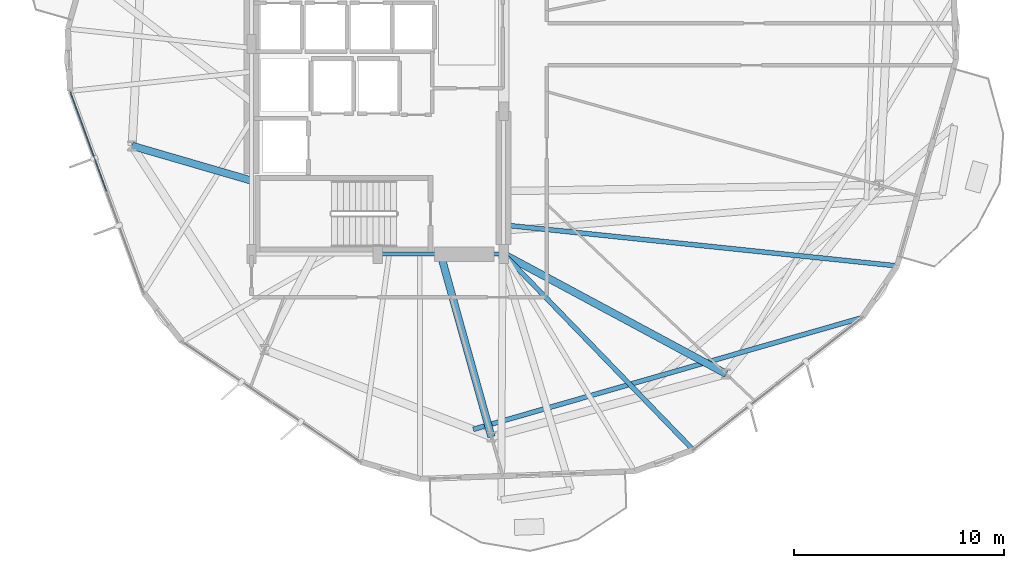
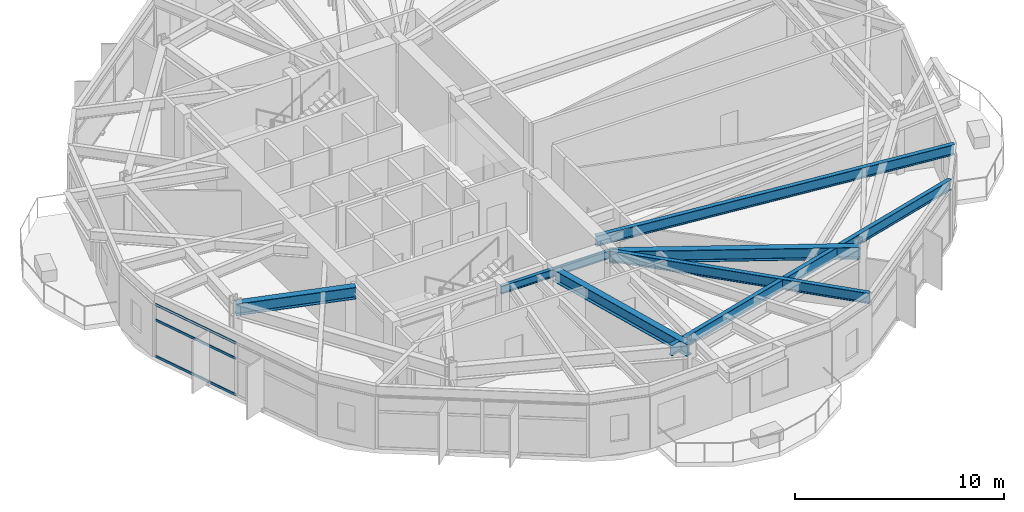
# One storey, part 6 of 21: 7 beams, 3 members, 1 element without a shape of its own.
"""IFC4 building model written with IfcOpenShell, lengths in metres."""

import ifcopenshell
import ifcopenshell.guid

model = None  # the IFC model being written
_history = None  # IfcOwnerHistory: only IFC2X3 demands one
_inside = {}  # id of a spatial element -> (the spatial element, [elements in it])
_under = {}  # id of a project, library or spatial element -> (it, [spatial elements below it])
_declared = {}  # id of a project -> (the project, [libraries it declares])
_typed = {}  # id of a type object -> (the type object, [elements of that type])
_made_of = {}  # id of a material, layer set ... -> (it, [elements and type objects made of it])


def new_model(schema):
    """Start an empty IFC model of exactly this schema.

    Asked for "IFC4X3", IfcOpenShell would pick the latest addendum, in which some entities
    have other attributes; the version numbers below select the first issue.
    IFC2X3 requires an IfcOwnerHistory on every rooted entity: one is made here for all.
    """
    global model, _history
    if schema == "IFC4X3":
        model = ifcopenshell.file(schema_version=(4, 3, 0, 0))
    else:
        model = ifcopenshell.file(schema=schema)
    _inside.clear()
    _under.clear()
    _declared.clear()
    _typed.clear()
    _made_of.clear()
    _history = None
    if model.schema == "IFC2X3":
        org = make("IfcOrganization", Name="unknown")
        user = make(
            "IfcPersonAndOrganization",
            ThePerson=make("IfcPerson", FamilyName="unknown"),
            TheOrganization=org,
        )
        app = make(
            "IfcApplication",
            ApplicationDeveloper=org,
            Version="unknown",
            ApplicationFullName="unknown",
            ApplicationIdentifier="unknown",
        )
        _history = make(
            "IfcOwnerHistory",
            OwningUser=user,
            OwningApplication=app,
            ChangeAction="ADDED",
            CreationDate=0,
        )
    return model


def make(cls, **values):
    """One entity of the class cls with the attributes given. An attribute that is None is left unset."""
    return model.create_entity(
        cls, **{name: value for name, value in values.items() if value is not None}
    )


def rooted(cls, **values):
    """An entity with a GlobalId (a new one), such as an element, a storey or a relation."""
    return make(cls, GlobalId=ifcopenshell.guid.new(), OwnerHistory=_history, **values)


def si_unit(unit_type, name, prefix=None):
    """IfcSIUnit, for example si_unit("LENGTHUNIT", "METRE", prefix="MILLI")."""
    return make("IfcSIUnit", UnitType=unit_type, Prefix=prefix, Name=name)


def assignment(units):
    """IfcUnitAssignment: the units of a project."""
    return None if units is None else make("IfcUnitAssignment", Units=units)


def point(xyz):
    """IfcCartesianPoint."""
    return None if xyz is None else make("IfcCartesianPoint", Coordinates=xyz)


def direction(xyz):
    """IfcDirection."""
    return None if xyz is None else make("IfcDirection", DirectionRatios=xyz)


def frame(location, z_axis=None, x_axis=None):
    """IfcAxis2Placement3D, a coordinate frame: its origin and axes. An axis left out is left unset."""
    return make(
        "IfcAxis2Placement3D",
        Location=point(location),
        Axis=direction(z_axis),
        RefDirection=direction(x_axis),
    )


def frame_2d(location, x_axis=None):
    """IfcAxis2Placement2D, a coordinate frame in the plane: its origin and x axis."""
    return make(
        "IfcAxis2Placement2D", Location=point(location), RefDirection=direction(x_axis)
    )


def origin():
    """The frame at (0, 0, 0) with its axes left unset."""
    return frame((0.0, 0.0, 0.0))


def origin_2d():
    """The frame at (0, 0) in the plane with its x axis left unset."""
    return frame_2d((0.0, 0.0))


def place(relative_to, where):
    """IfcLocalPlacement: puts the frame where relative to a parent placement (None: the world)."""
    return make(
        "IfcLocalPlacement", PlacementRelTo=relative_to, RelativePlacement=where
    )


def context(
    kind, dimensions, precision=None, world=None, true_north=None, identifier=None
):
    """IfcGeometricRepresentationContext, for example the 3D "Model" context."""
    return make(
        "IfcGeometricRepresentationContext",
        ContextIdentifier=identifier,
        ContextType=kind,
        CoordinateSpaceDimension=dimensions,
        Precision=precision,
        WorldCoordinateSystem=world,
        TrueNorth=true_north,
    )


def subcontext(parent, identifier, kind, view, scale=None):
    """IfcGeometricRepresentationSubContext, for example "Body" below "Model"."""
    return make(
        "IfcGeometricRepresentationSubContext",
        ContextIdentifier=identifier,
        ContextType=kind,
        ParentContext=parent,
        TargetScale=scale,
        TargetView=view,
    )


def project(units=None, contexts=None):
    """IfcProject with its units and contexts."""
    return rooted(
        "IfcProject",
        Name="project",
        RepresentationContexts=contexts,
        UnitsInContext=assignment(units),
    )


def spatial(cls, under=None, at=None, **own):
    """A site, building, storey or space (cls), placed at a placement, below another one or the project."""
    s = rooted(cls, ObjectPlacement=at, **own)
    if under is not None:
        _under.setdefault(under.id(), (under, []))[1].append(s)
    return s


def profile(cls, at=None, kind="AREA", **sizes):
    """A parametric profile (cls). Its sizes go by their IFC names, for example OverallWidth=200.0."""
    return make(cls, ProfileType=kind, Position=at, **sizes)


def hollow_rectangle(**sizes):
    """IfcRectangleHollowProfileDef."""
    return profile("IfcRectangleHollowProfileDef", **sizes)


def i_section(**sizes):
    """IfcIShapeProfileDef."""
    return profile("IfcIShapeProfileDef", **sizes)


def extrude(swept, where, along, depth):
    """IfcExtrudedAreaSolid: the profile swept, set in the frame where, extruded along a direction by depth."""
    return make(
        "IfcExtrudedAreaSolid",
        SweptArea=swept,
        Position=where,
        ExtrudedDirection=direction(along),
        Depth=depth,
    )


def shape(context_of_items, identifier, shape_type, items):
    """IfcShapeRepresentation: the items that make up one representation, for example the "Body"."""
    return make(
        "IfcShapeRepresentation",
        ContextOfItems=context_of_items,
        RepresentationIdentifier=identifier,
        RepresentationType=shape_type,
        Items=items,
    )


def material(Name=None, Category=None):
    """IfcMaterial."""
    return make("IfcMaterial", Name=Name, Category=Category)


def layer(
    of_material, thickness, ventilated=None, Name=None, Category=None, Priority=None
):
    """IfcMaterialLayer: one layer of a wall or slab, of a material (None: an air gap)."""
    return make(
        "IfcMaterialLayer",
        Material=of_material,
        LayerThickness=thickness,
        IsVentilated=ventilated,
        Name=Name,
        Category=Category,
        Priority=Priority,
    )


def layer_set(layers, Name=None):
    """IfcMaterialLayerSet."""
    return make("IfcMaterialLayerSet", MaterialLayers=layers, LayerSetName=Name)


def material_profile(
    of_material, cross_section, Name=None, Category=None, Priority=None
):
    """IfcMaterialProfile: a cross section and its material."""
    return make(
        "IfcMaterialProfile",
        Name=Name,
        Material=of_material,
        Profile=cross_section,
        Priority=Priority,
        Category=Category,
    )


def profile_set(profiles, Name=None, composite=None):
    """IfcMaterialProfileSet."""
    return make(
        "IfcMaterialProfileSet",
        Name=Name,
        MaterialProfiles=profiles,
        CompositeProfile=composite,
    )


def made_of(thing, what):
    """Note that an element or type object is made of a material, layer set ...; save() writes the relation."""
    if what is not None:
        _made_of.setdefault(what.id(), (what, []))[1].append(thing)
    return thing


def type_object(cls, material=None, **own):
    """A type object (cls), such as IfcWallType, which elements share."""
    return made_of(rooted(cls, **own), material)


def element(
    cls,
    number,
    at=None,
    inside=None,
    cuts=None,
    type_object=None,
    material=None,
    context=None,
    identifier="Body",
    shape_type=None,
    held_by="IfcProductDefinitionShape",
    body=None,
    shapes=None,
    **own,
):
    """One element of the class cls, such as IfcWall. Its Tag is "e" and its number.

    at: its placement. inside: the storey or other place that contains it. cuts: it is an
    opening in that element (IfcRelVoidsElement). A single representation is given by context,
    identifier, shape_type and body (its items); several are given by shapes. held_by: the class
    of the entity that holds the representations. save() writes the other relations.
    """
    e = rooted(cls, Tag="e%d" % number, ObjectPlacement=at, **own)
    if body is not None:
        shapes = [shape(context, identifier, shape_type, body)]
    if shapes is not None:
        e.Representation = make(held_by, Representations=shapes)
    if inside is not None:
        _inside.setdefault(inside.id(), (inside, []))[1].append(e)
    if cuts is not None:
        rooted(
            "IfcRelVoidsElement", RelatingBuildingElement=cuts, RelatedOpeningElement=e
        )
    if type_object is not None:
        _typed.setdefault(type_object.id(), (type_object, []))[1].append(e)
    return made_of(e, material)


def aggregate(whole, parts):
    """IfcRelAggregates: a whole, such as a stair, and the parts it consists of."""
    return rooted("IfcRelAggregates", RelatingObject=whole, RelatedObjects=parts)


def save(model, path):
    """Write the relations noted so far, then the file.

    IfcRelAggregates (storeys below a building ...), IfcRelContainedInSpatialStructure (elements
    in a storey), IfcRelDefinesByType, IfcRelAssociatesMaterial and IfcRelDeclares: one each for
    every whole, place, type object, material and project.
    """
    for whole, parts in _under.values():
        aggregate(whole, parts)
    for where, things in _inside.values():
        rooted(
            "IfcRelContainedInSpatialStructure",
            RelatedElements=things,
            RelatingStructure=where,
        )
    for kind, things in _typed.values():
        rooted("IfcRelDefinesByType", RelatedObjects=things, RelatingType=kind)
    for what, things in _made_of.values():
        rooted("IfcRelAssociatesMaterial", RelatedObjects=things, RelatingMaterial=what)
    for by, libraries in _declared.values():
        rooted("IfcRelDeclares", RelatingContext=by, RelatedDefinitions=libraries)
    model.write(path)


model = new_model("IFC4")

# Units and contexts
model_context = context("Model", 3, precision=1e-05, world=origin(), true_north=direction((0.0, 1.0)))
body_context = subcontext(model_context, "Body", "Model", "MODEL_VIEW")
ifc_project = project(units=[si_unit("LENGTHUNIT", "METRE"), si_unit("AREAUNIT", "SQUARE_METRE"), si_unit("VOLUMEUNIT", "CUBIC_METRE"), si_unit("PLANEANGLEUNIT", "RADIAN"), si_unit("MASSUNIT", "GRAM", prefix="KILO")], contexts=[model_context])

# Site, building, storey
site_placement = place(None, origin())
site = spatial("IfcSite", under=ifc_project, at=site_placement, CompositionType="ELEMENT")
building_placement = place(site_placement, origin())
building = spatial("IfcBuilding", under=site, at=building_placement, Name="Soratama Intermodal Tower", CompositionType="ELEMENT")
storey_placement = place(building_placement, frame((0.0, 0.0, 34.60009765625)))
storey = spatial("IfcBuildingStorey", under=building, at=storey_placement, Name="L07", CompositionType="ELEMENT", Elevation=34.60009765625)

# Beams
ifc_material_1 = material(Name="Structural steel ASTM A992 Grade 50", Category="steel")
ifc_material_profile_1 = material_profile(ifc_material_1, i_section(OverallWidth=0.19091796875, OverallDepth=0.4599609375, WebThickness=0.010009765625, FlangeThickness=0.01611328125, FilletRadius=0.010986328125, at=origin_2d()), Name="W18X55")
ifc_profile_set_1 = profile_set([ifc_material_profile_1], Name="Structural steel ASTM A992 Grade 50")
beam_type_1 = type_object("IfcBeamType", Name="BM-FLR-W18X55", PredefinedType="BEAM", material=ifc_profile_set_1)
beam_1_placement = place(storey_placement, frame((38.60009765625, 15.0, 3.469970703125), z_axis=(1.0, 0.0, 0.0), x_axis=(0.0, 1.0, 0.0)))
element("IfcBeam", 1, at=beam_1_placement, inside=storey, type_object=beam_type_1, Name="BM-L07-CRING-02", PredefinedType="BEAM", context=body_context, shape_type="SweptSolid", body=[
    extrude(i_section(OverallWidth=0.19091796875, OverallDepth=0.4599609375, WebThickness=0.010009765625, FlangeThickness=0.01611328125, FilletRadius=0.010986328125, at=origin_2d()), origin(), (0.0, 0.0, 1.0), 6.0),
])
ifc_material_2 = material(Name="Structural steel ASTM A992 Grade 50", Category="steel")
ifc_material_profile_2 = material_profile(ifc_material_2, i_section(OverallWidth=0.35498046875, OverallDepth=0.695068359375, WebThickness=0.015380859375, FlangeThickness=0.02490234375, FilletRadius=0.01611328125, at=origin_2d()), Name="W27X146")
ifc_profile_set_2 = profile_set([ifc_material_profile_2], Name="Structural steel ASTM A992 Grade 50")
beam_type_2 = type_object("IfcBeamType", Name="BM-RING-W27X146", PredefinedType="BEAM", material=ifc_profile_set_2)
beam_2_placement = place(storey_placement, frame((32.60009765625, 18.5, 3.352294921875), z_axis=(-0.960102504931, 0.279648314898, 0.0), x_axis=(-0.279648314898, -0.960102504931, 0.0)))
element("IfcBeam", 2, at=beam_2_placement, inside=storey, type_object=beam_type_2, Name="BM-L07-RAD-06", PredefinedType="BEAM", context=body_context, shape_type="SweptSolid", body=[
    extrude(i_section(OverallWidth=0.35498046875, OverallDepth=0.695068359375, WebThickness=0.015380859375, FlangeThickness=0.02490234375, FilletRadius=0.01611328125, at=origin_2d()), origin(), (0.0, 0.0, 1.0), 5.918212890625),
])
beam_3_placement = place(storey_placement, frame((41.60009765625, 15.0, 3.352294921875), z_axis=(0.26814752121, -0.963377862974, 0.0), x_axis=(0.963377862974, 0.26814752121, 0.0)))
element("IfcBeam", 3, at=beam_3_placement, inside=storey, type_object=beam_type_2, Name="BM-L07-RAD-08", PredefinedType="BEAM", context=body_context, shape_type="SweptSolid", body=[
    extrude(i_section(OverallWidth=0.35498046875, OverallDepth=0.695068359375, WebThickness=0.015380859375, FlangeThickness=0.02490234375, FilletRadius=0.01611328125, at=origin_2d()), origin(), (0.0, 0.0, 1.0), 9.024658203125),
])
beam_4_placement = place(storey_placement, frame((44.60009765625, 15.0, 3.352294921875), z_axis=(0.880663887759, -0.473741613961, 0.0), x_axis=(0.473741613961, 0.880663887759, 0.0)))
element("IfcBeam", 4, at=beam_4_placement, inside=storey, type_object=beam_type_2, Name="BM-L07-RAD-09", PredefinedType="BEAM", context=body_context, shape_type="SweptSolid", body=[
    extrude(i_section(OverallWidth=0.35498046875, OverallDepth=0.695068359375, WebThickness=0.015380859375, FlangeThickness=0.02490234375, FilletRadius=0.01611328125, at=origin_2d()), origin(), (0.0, 0.0, 1.0), 12.03173828125),
])
ifc_material_3 = material(Name="Structural steel ASTM A992 Grade 50", Category="steel")
ifc_material_profile_3 = material_profile(ifc_material_3, i_section(OverallWidth=0.22900390625, OverallDepth=0.612060546875, WebThickness=0.011962890625, FlangeThickness=0.01953125, FilletRadius=0.012939453125, at=origin_2d()), Name="W24X84")
ifc_profile_set_3 = profile_set([ifc_material_profile_3], Name="Structural steel ASTM A992 Grade 50")
beam_type_3 = type_object("IfcBeamType", Name="BM-TIE-W24X84", PredefinedType="BEAM", material=ifc_profile_set_3)
beam_5_placement = place(storey_placement, frame((44.6279296875, 14.97802734375, 3.393798828125), z_axis=(0.695417027221, -0.71860640009, 0.0), x_axis=(0.71860640009, 0.695417027221, 0.0)))
element("IfcBeam", 5, at=beam_5_placement, inside=storey, type_object=beam_type_3, Name="BM-L07-TIE0-09", PredefinedType="BEAM", context=body_context, shape_type="SweptSolid", body=[
    extrude(i_section(OverallWidth=0.22900390625, OverallDepth=0.612060546875, WebThickness=0.011962890625, FlangeThickness=0.01953125, FilletRadius=0.012939453125, at=origin_2d()), origin(), (0.0, 0.0, 1.0), 12.93896484375),
])
beam_6_placement = place(storey_placement, frame((43.158935546875, 6.662109375, 3.393798828125), z_axis=(0.961170270095, 0.275955996284, 0.0), x_axis=(-0.275955996284, 0.961170270095, 0.0)))
element("IfcBeam", 6, at=beam_6_placement, inside=storey, type_object=beam_type_3, Name="BM-L07-TIE1-09", PredefinedType="BEAM", context=body_context, shape_type="SweptSolid", body=[
    extrude(i_section(OverallWidth=0.22900390625, OverallDepth=0.612060546875, WebThickness=0.011962890625, FlangeThickness=0.01953125, FilletRadius=0.012939453125, at=origin_2d()), origin(), (0.0, 0.0, 1.0), 19.26708984375),
])
beam_7_placement = place(storey_placement, frame((44.639892578125, 16.385009765625, 3.393798828125), z_axis=(0.994631200662, -0.103483209607, 0.0), x_axis=(0.103483209607, 0.994631200662, 0.0)))
element("IfcBeam", 7, at=beam_7_placement, inside=storey, type_object=beam_type_3, Name="BM-L07-TIE0-10", PredefinedType="BEAM", context=body_context, shape_type="SweptSolid", body=[
    extrude(i_section(OverallWidth=0.22900390625, OverallDepth=0.612060546875, WebThickness=0.011962890625, FlangeThickness=0.01953125, FilletRadius=0.012939453125, at=origin_2d()), origin(), (0.0, 0.0, 1.0), 18.7958984375),
])

# Curtain wall, members
ifc_material_4 = material(Name="Double-glazed aluminium curtain wall", Category="aluminium")
ifc_layer = layer(ifc_material_4, 0.159912109375)
ifc_layer_set = layer_set([ifc_layer], Name="Double-glazed aluminium curtain wall")
curtain_wall_type = type_object("IfcCurtainWallType", Name="CW-SYS-2", PredefinedType="NOTDEFINED", material=ifc_layer_set)
curtain_wall_placement = place(storey_placement, origin())
curtain_wall = element("IfcCurtainWall", 8, at=curtain_wall_placement, inside=storey, type_object=curtain_wall_type, Name="L07 Faceted Curtain Wall F06", PredefinedType="NOTDEFINED")
ifc_material_5 = material(Name="Anodised aluminium AA 6063-T6", Category="aluminium")
ifc_material_profile_4 = material_profile(ifc_material_5, hollow_rectangle(XDim=0.06494140625, YDim=0.14990234375, WallThickness=0.0048828125, InnerFilletRadius=0.0048828125, OuterFilletRadius=0.010009765625, at=origin_2d()), Name="CWT150X65X5")
ifc_profile_set_4 = profile_set([ifc_material_profile_4], Name="Anodised aluminium AA 6063-T6")
member_type = type_object("IfcMemberType", Name="TT-CWT-1", PredefinedType="USERDEFINED", material=ifc_profile_set_4)
member_1_placement = place(storey_placement, frame((23.98046875, 22.7099609375, 0.02978515625), z_axis=(0.342664168865, -0.939457964667, 0.0), x_axis=(0.939457964667, 0.342664168865, 0.0)))
member_1 = element("IfcMember", 9, at=member_1_placement, type_object=member_type, Name="CW-2 transom 1.1", ObjectType="TRANSOM", PredefinedType="USERDEFINED", context=body_context, shape_type="SweptSolid", body=[
    extrude(hollow_rectangle(XDim=0.06494140625, YDim=0.14990234375, WallThickness=0.0048828125, InnerFilletRadius=0.0048828125, OuterFilletRadius=0.010009765625, at=origin_2d()), origin(), (0.0, 0.0, 1.0), 5.021484375),
])
member_2_placement = place(storey_placement, frame((23.98046875, 22.7099609375, 2.14990234375), z_axis=(0.342664168865, -0.939457964667, 0.0), x_axis=(0.939457964667, 0.342664168865, 0.0)))
member_2 = element("IfcMember", 10, at=member_2_placement, type_object=member_type, Name="CW-2 transom 1.2", ObjectType="TRANSOM", PredefinedType="USERDEFINED", context=body_context, shape_type="SweptSolid", body=[
    extrude(hollow_rectangle(XDim=0.06494140625, YDim=0.14990234375, WallThickness=0.0048828125, InnerFilletRadius=0.0048828125, OuterFilletRadius=0.010009765625, at=origin_2d()), origin(), (0.0, 0.0, 1.0), 5.021484375),
])
member_3_placement = place(storey_placement, frame((23.98046875, 22.7099609375, 3.048828125), z_axis=(0.342664168865, -0.939457964667, 0.0), x_axis=(0.939457964667, 0.342664168865, 0.0)))
member_3 = element("IfcMember", 11, at=member_3_placement, type_object=member_type, Name="CW-2 transom 1.3", ObjectType="TRANSOM", PredefinedType="USERDEFINED", context=body_context, shape_type="SweptSolid", body=[
    extrude(hollow_rectangle(XDim=0.06494140625, YDim=0.14990234375, WallThickness=0.0048828125, InnerFilletRadius=0.0048828125, OuterFilletRadius=0.010009765625, at=origin_2d()), origin(), (0.0, 0.0, 1.0), 5.021484375),
])
aggregate(curtain_wall, [member_1, member_2, member_3])

save(model, "model.ifc")
